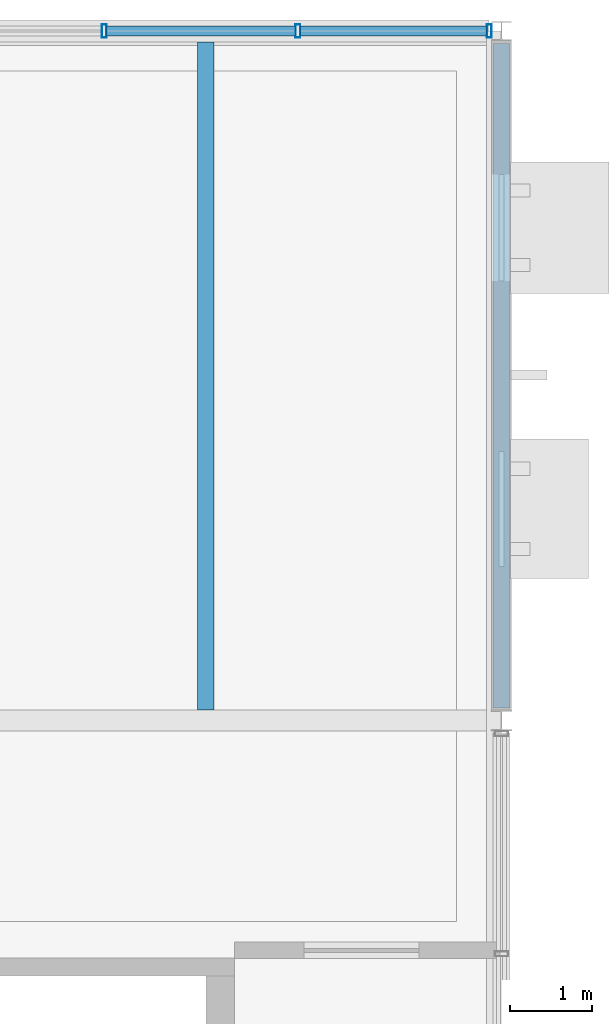
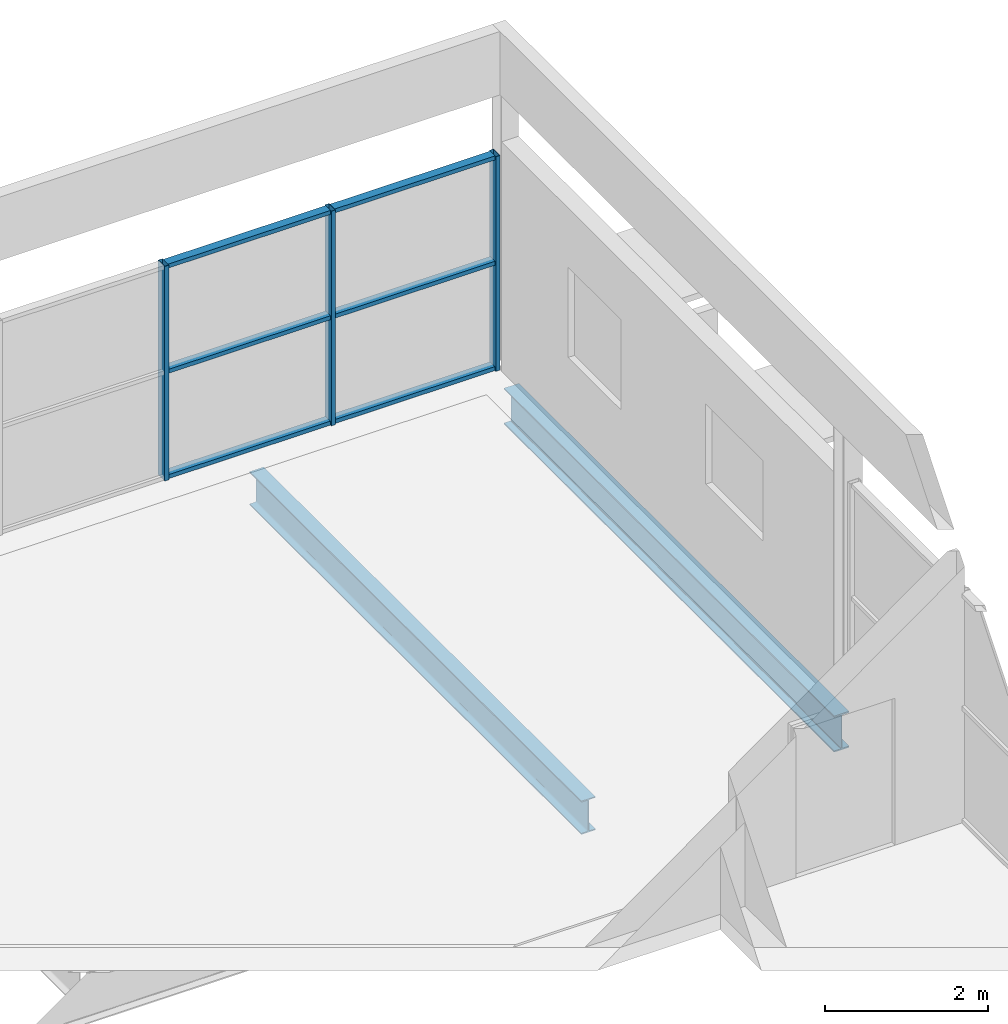
# One storey, part 36 of 43: 9 members, 2 beams, 1 element without a shape of its own.
"""IFC4 building model written with IfcOpenShell, lengths in metres."""

from ifc_helpers import new_model, si_unit, direction, frame, origin, origin_2d, place, context, subcontext, project, spatial, hollow_rectangle, i_section, extrude, material, material_profile, profile_set, type_object, element, aggregate, save


model = new_model("IFC4")

# Units and contexts
model_context = context("Model", 3, precision=1e-05, world=origin(), true_north=direction((0.0, 1.0)))
body_context = subcontext(model_context, "Body", "Model", "MODEL_VIEW")
ifc_project = project(units=[si_unit("LENGTHUNIT", "METRE"), si_unit("AREAUNIT", "SQUARE_METRE"), si_unit("VOLUMEUNIT", "CUBIC_METRE"), si_unit("PLANEANGLEUNIT", "RADIAN"), si_unit("MASSUNIT", "GRAM", prefix="KILO"), si_unit("THERMODYNAMICTEMPERATUREUNIT", "KELVIN")], contexts=[model_context])

# Site, building, storey
site_placement = place(None, origin())
site = spatial("IfcSite", under=ifc_project, at=site_placement, CompositionType="ELEMENT")
building_placement = place(site_placement, origin())
building = spatial("IfcBuilding", under=site, at=building_placement, Name="Nduvali Passage Aquatics Centre", CompositionType="ELEMENT")
storey_placement = place(building_placement, frame((0.0, 0.0, 17.39990234375)))
storey = spatial("IfcBuildingStorey", under=building, at=storey_placement, Name="L04", CompositionType="ELEMENT", Elevation=17.39990234375)

# Curtain wall, members
ifc_material_1 = material(Name="Aluminium EN AW-6063 T6", Category="aluminium")
curtain_wall_type = type_object("IfcCurtainWallType", Name="ENV-CW-WELL", PredefinedType="NOTDEFINED", material=ifc_material_1)
curtain_wall_placement = place(storey_placement, origin())
curtain_wall = element("IfcCurtainWall", 1, at=curtain_wall_placement, inside=storey, type_object=curtain_wall_type, Name="L04 North Avenue Recovery Lounge CW 116", PredefinedType="NOTDEFINED")
ifc_material_profile_1 = material_profile(ifc_material_1, hollow_rectangle(XDim=0.06005859375, YDim=0.159912109375, WallThickness=0.00390625, at=origin_2d()), Name="ALU MULLION 60x160x4")
ifc_profile_set_1 = profile_set([ifc_material_profile_1], Name="Aluminium EN AW-6063 T6")
member_type_1 = type_object("IfcMemberType", Name="ENV-MEM-MUL60", PredefinedType="MULLION", material=ifc_profile_set_1)
member_1_placement = place(storey_placement, frame((121.159912109375, 117.60009765625, 0.0), z_axis=(0.0, 0.0, 1.0), x_axis=(1.0, 0.0, 0.0)))
member_1 = element("IfcMember", 2, at=member_1_placement, type_object=member_type_1, Name="North Avenue Recovery Lounge CW Mullion 5", PredefinedType="MULLION", context=body_context, shape_type="SweptSolid", body=[
    extrude(hollow_rectangle(XDim=0.06005859375, YDim=0.159912109375, WallThickness=0.00390625, at=origin_2d()), origin(), (0.0, 0.0, 1.0), 3.2138671875),
])
member_2_placement = place(storey_placement, frame((123.52001953125, 117.60009765625, 0.0), z_axis=(0.0, 0.0, 1.0), x_axis=(1.0, 0.0, 0.0)))
member_2 = element("IfcMember", 3, at=member_2_placement, type_object=member_type_1, Name="North Avenue Recovery Lounge CW Mullion 6", PredefinedType="MULLION", context=body_context, shape_type="SweptSolid", body=[
    extrude(hollow_rectangle(XDim=0.06005859375, YDim=0.159912109375, WallThickness=0.00390625, at=origin_2d()), origin(), (0.0, 0.0, 1.0), 3.2138671875),
])
member_3_placement = place(storey_placement, frame((125.85009765625, 117.60009765625, 0.0), z_axis=(0.0, 0.0, 1.0), x_axis=(1.0, 0.0, 0.0)))
member_3 = element("IfcMember", 4, at=member_3_placement, type_object=member_type_1, Name="North Avenue Recovery Lounge CW Mullion 7", PredefinedType="MULLION", context=body_context, shape_type="SweptSolid", body=[
    extrude(hollow_rectangle(XDim=0.06005859375, YDim=0.159912109375, WallThickness=0.00390625, at=origin_2d()), origin(), (0.0, 0.0, 1.0), 3.2138671875),
])
ifc_material_profile_2 = material_profile(ifc_material_1, hollow_rectangle(XDim=0.1201171875, YDim=0.06005859375, WallThickness=0.00390625, at=origin_2d()), Name="ALU TRANSOM 120x60x4")
ifc_profile_set_2 = profile_set([ifc_material_profile_2], Name="Aluminium EN AW-6063 T6")
member_type_2 = type_object("IfcMemberType", Name="ENV-MEM-TRN60", PredefinedType="USERDEFINED", material=ifc_profile_set_2)
member_4_placement = place(storey_placement, frame((121.18994140625, 117.60009765625, 0.030029296875), z_axis=(1.0, 0.0, 0.0), x_axis=(0.0, 1.0, 0.0)))
member_4 = element("IfcMember", 5, at=member_4_placement, type_object=member_type_2, Name="North Avenue Recovery Lounge CW Transom B5-R0", ObjectType="TRANSOM", PredefinedType="USERDEFINED", context=body_context, shape_type="SweptSolid", body=[
    extrude(hollow_rectangle(XDim=0.1201171875, YDim=0.06005859375, WallThickness=0.00390625, at=origin_2d()), origin(), (0.0, 0.0, 1.0), 2.300048828125),
])
member_5_placement = place(storey_placement, frame((121.18994140625, 117.60009765625, 1.60693359375), z_axis=(1.0, 0.0, 0.0), x_axis=(0.0, 1.0, 0.0)))
member_5 = element("IfcMember", 6, at=member_5_placement, type_object=member_type_2, Name="North Avenue Recovery Lounge CW Transom B5-R1", ObjectType="TRANSOM", PredefinedType="USERDEFINED", context=body_context, shape_type="SweptSolid", body=[
    extrude(hollow_rectangle(XDim=0.1201171875, YDim=0.06005859375, WallThickness=0.00390625, at=origin_2d()), origin(), (0.0, 0.0, 1.0), 2.300048828125),
])
member_6_placement = place(storey_placement, frame((121.18994140625, 117.60009765625, 3.183837890625), z_axis=(1.0, 0.0, 0.0), x_axis=(0.0, 1.0, 0.0)))
member_6 = element("IfcMember", 7, at=member_6_placement, type_object=member_type_2, Name="North Avenue Recovery Lounge CW Transom B5-R2", ObjectType="TRANSOM", PredefinedType="USERDEFINED", context=body_context, shape_type="SweptSolid", body=[
    extrude(hollow_rectangle(XDim=0.1201171875, YDim=0.06005859375, WallThickness=0.00390625, at=origin_2d()), origin(), (0.0, 0.0, 1.0), 2.300048828125),
])
member_7_placement = place(storey_placement, frame((123.550048828125, 117.60009765625, 0.030029296875), z_axis=(1.0, 0.0, 0.0), x_axis=(0.0, 1.0, 0.0)))
member_7 = element("IfcMember", 8, at=member_7_placement, type_object=member_type_2, Name="North Avenue Recovery Lounge CW Transom B6-R0", ObjectType="TRANSOM", PredefinedType="USERDEFINED", context=body_context, shape_type="SweptSolid", body=[
    extrude(hollow_rectangle(XDim=0.1201171875, YDim=0.06005859375, WallThickness=0.00390625, at=origin_2d()), origin(), (0.0, 0.0, 1.0), 2.27001953125),
])
member_8_placement = place(storey_placement, frame((123.550048828125, 117.60009765625, 1.60693359375), z_axis=(1.0, 0.0, 0.0), x_axis=(0.0, 1.0, 0.0)))
member_8 = element("IfcMember", 9, at=member_8_placement, type_object=member_type_2, Name="North Avenue Recovery Lounge CW Transom B6-R1", ObjectType="TRANSOM", PredefinedType="USERDEFINED", context=body_context, shape_type="SweptSolid", body=[
    extrude(hollow_rectangle(XDim=0.1201171875, YDim=0.06005859375, WallThickness=0.00390625, at=origin_2d()), origin(), (0.0, 0.0, 1.0), 2.27001953125),
])
member_9_placement = place(storey_placement, frame((123.550048828125, 117.60009765625, 3.183837890625), z_axis=(1.0, 0.0, 0.0), x_axis=(0.0, 1.0, 0.0)))
member_9 = element("IfcMember", 10, at=member_9_placement, type_object=member_type_2, Name="North Avenue Recovery Lounge CW Transom B6-R2", ObjectType="TRANSOM", PredefinedType="USERDEFINED", context=body_context, shape_type="SweptSolid", body=[
    extrude(hollow_rectangle(XDim=0.1201171875, YDim=0.06005859375, WallThickness=0.00390625, at=origin_2d()), origin(), (0.0, 0.0, 1.0), 2.27001953125),
])
aggregate(curtain_wall, [member_1, member_2, member_3, member_4, member_5, member_6, member_7, member_8, member_9])

# Beams
ifc_material_2 = material(Name="Steel S355", Category="steel")
ifc_material_profile_3 = material_profile(ifc_material_2, i_section(OverallWidth=0.210693359375, OverallDepth=0.53955078125, WebThickness=0.01171875, FlangeThickness=0.018798828125, FilletRadius=0.0126953125, at=origin_2d()), Name="UKB 533x210x109")
ifc_profile_set_3 = profile_set([ifc_material_profile_3], Name="Steel S355")
beam_type_1 = type_object("IfcBeamType", Name="STR-BM-UKB533-EXT", PredefinedType="BEAM", material=ifc_profile_set_3)
beam_1_placement = place(storey_placement, frame((126.0, 109.35009765625, -0.503662109375), z_axis=(0.0, 1.0, 0.0), x_axis=(-1.0, 0.0, 0.0)))
element("IfcBeam", 11, at=beam_1_placement, inside=storey, type_object=beam_type_1, Name="L04 Primary Y-Girder B6E-1396", PredefinedType="BEAM", context=body_context, shape_type="SweptSolid", body=[
    extrude(i_section(OverallWidth=0.210693359375, OverallDepth=0.53955078125, WebThickness=0.01171875, FlangeThickness=0.018798828125, FilletRadius=0.0126953125, at=origin_2d()), origin(), (0.0, 0.0, 1.0), 8.099853515625),
])
ifc_material_profile_4 = material_profile(ifc_material_2, i_section(OverallWidth=0.199951171875, OverallDepth=0.5, WebThickness=0.01025390625, FlangeThickness=0.01611328125, FilletRadius=0.02099609375, at=origin_2d()), Name="IPE 500")
ifc_profile_set_4 = profile_set([ifc_material_profile_4], Name="Steel S355")
beam_type_2 = type_object("IfcBeamType", Name="STR-JST-IPE500", PredefinedType="JOIST", material=ifc_profile_set_4)
beam_2_placement = place(storey_placement, frame((122.39990234375, 109.326904296875, -0.48388671875), z_axis=(0.0, 1.0, 0.0), x_axis=(-1.0, 0.0, 0.0)))
element("IfcBeam", 12, at=beam_2_placement, inside=storey, type_object=beam_type_2, Name="L04 Secondary Joist J5A-1439", PredefinedType="JOIST", context=body_context, shape_type="SweptSolid", body=[
    extrude(i_section(OverallWidth=0.199951171875, OverallDepth=0.5, WebThickness=0.01025390625, FlangeThickness=0.01611328125, FilletRadius=0.02099609375, at=origin_2d()), origin(), (0.0, 0.0, 1.0), 8.139892578125),
])

save(model, "model.ifc")
